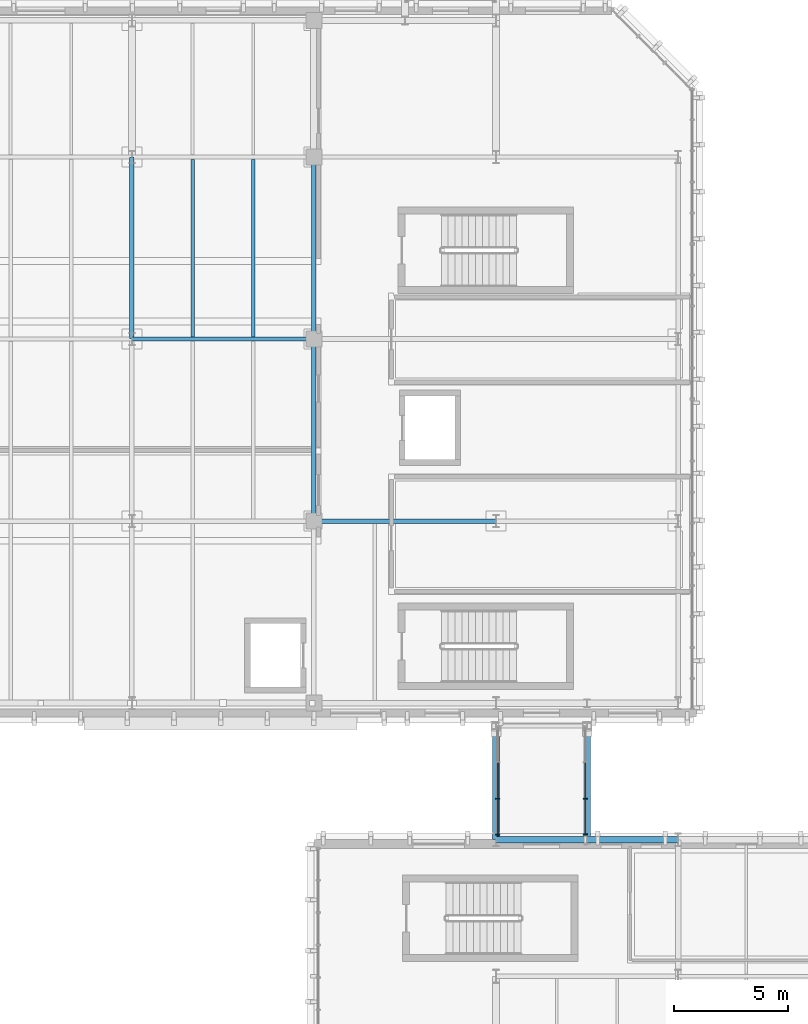
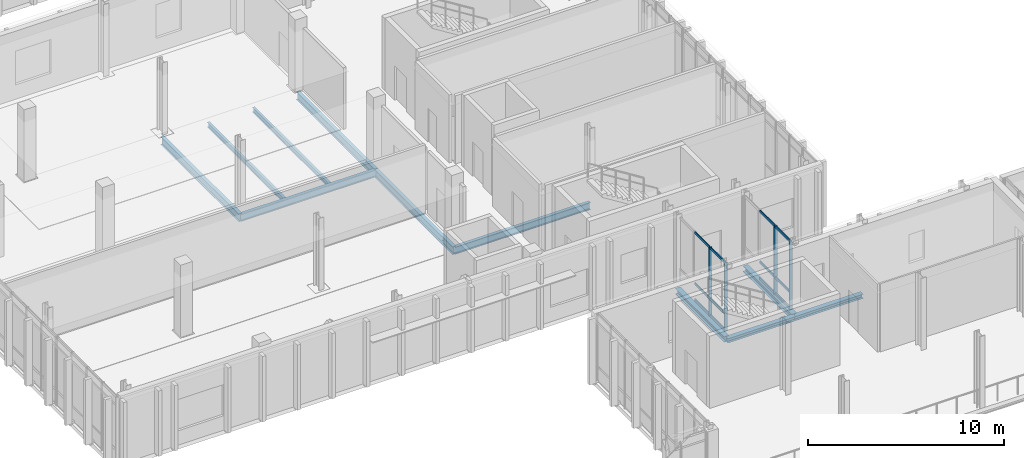
# One storey, part 21 of 100: 16 members, 11 beams, 2 elements without a shape of their own.
"""IFC4 building model written with IfcOpenShell, lengths in metres."""

from ifc_helpers import new_model, si_unit, direction, frame, origin, origin_2d, place, context, subcontext, project, spatial, rectangle, i_section, extrude, material, material_profile, profile_set, type_object, element, aggregate, save


model = new_model("IFC4")

# Units and contexts
model_context = context("Model", 3, precision=1e-05, world=origin(), true_north=direction((0.0, 1.0)))
body_context = subcontext(model_context, "Body", "Model", "MODEL_VIEW")
ifc_project = project(units=[si_unit("LENGTHUNIT", "METRE"), si_unit("AREAUNIT", "SQUARE_METRE"), si_unit("VOLUMEUNIT", "CUBIC_METRE"), si_unit("PLANEANGLEUNIT", "RADIAN"), si_unit("MASSUNIT", "GRAM", prefix="KILO")], contexts=[model_context])

# Site, building, storey
site_placement = place(None, origin())
site = spatial("IfcSite", under=ifc_project, at=site_placement, CompositionType="ELEMENT")
building_placement = place(site_placement, origin())
building = spatial("IfcBuilding", under=site, at=building_placement, Name="Cymarion Research Institute", CompositionType="ELEMENT")
storey_placement = place(building_placement, frame((0.0, 0.0, 4.800048828125)))
storey = spatial("IfcBuildingStorey", under=building, at=storey_placement, Name="L01", CompositionType="ELEMENT", Elevation=4.800048828125)

# Curtain wall, members
ifc_material_1 = material(Name="Anodised aluminium unitised curtain wall with Low-E glazing", Category="aluminium")
curtain_wall_type = type_object("IfcCurtainWallType", Name="UNITISED CURTAIN WALL CW24 4800X4260", PredefinedType="NOTDEFINED", material=ifc_material_1)
curtain_wall_1_placement = place(storey_placement, origin())
curtain_wall_1 = element("IfcCurtainWall", 1, at=curtain_wall_1_placement, inside=storey, type_object=curtain_wall_type, Name="L01 SP1 sky-passage glazed wall 1", PredefinedType="NOTDEFINED")
ifc_material_2 = material(Name="Anodised aluminium framing", Category="aluminium")
ifc_material_profile_1 = material_profile(ifc_material_2, rectangle(XDim=0.06005859375, YDim=0.179931640625, at=origin_2d()), Name="ALU MULLION 60x180")
ifc_profile_set_1 = profile_set([ifc_material_profile_1], Name="Anodised aluminium framing")
member_type_1 = type_object("IfcMemberType", Name="CURTAIN WALL MULLION ML01 60X180", PredefinedType="MULLION", material=ifc_profile_set_1)
member_1_placement = place(storey_placement, frame((38.679931640625, 41.72998046875, 0.0), z_axis=(0.0, 0.0, 1.0), x_axis=(0.0, 1.0, 0.0)))
member_1 = element("IfcMember", 2, at=member_1_placement, type_object=member_type_1, Name="CW24 mullion 1", PredefinedType="MULLION", context=body_context, shape_type="SweptSolid", body=[
    extrude(rectangle(XDim=0.06005859375, YDim=0.179931640625, at=origin_2d()), origin(), (0.0, 0.0, 1.0), 4.260009765625),
])
member_2_placement = place(storey_placement, frame((38.679931640625, 43.300048828125, 0.0), z_axis=(0.0, 0.0, 1.0), x_axis=(0.0, 1.0, 0.0)))
member_2 = element("IfcMember", 3, at=member_2_placement, type_object=member_type_1, Name="CW24 mullion 2", PredefinedType="MULLION", context=body_context, shape_type="SweptSolid", body=[
    extrude(rectangle(XDim=0.06005859375, YDim=0.179931640625, at=origin_2d()), origin(), (0.0, 0.0, 1.0), 4.260009765625),
])

curtain_wall_2_placement = place(storey_placement, origin())
curtain_wall_2 = element("IfcCurtainWall", 4, at=curtain_wall_2_placement, inside=storey, type_object=curtain_wall_type, Name="L01 SP1 sky-passage glazed wall 2", PredefinedType="NOTDEFINED")
member_3_placement = place(storey_placement, frame((42.52001953125, 41.72998046875, 0.0), z_axis=(0.0, 0.0, 1.0), x_axis=(0.0, 1.0, 0.0)))
member_3 = element("IfcMember", 5, at=member_3_placement, type_object=member_type_1, Name="CW24 mullion 1", PredefinedType="MULLION", context=body_context, shape_type="SweptSolid", body=[
    extrude(rectangle(XDim=0.06005859375, YDim=0.179931640625, at=origin_2d()), origin(), (0.0, 0.0, 1.0), 4.260009765625),
])
member_4_placement = place(storey_placement, frame((42.52001953125, 43.300048828125, 0.0), z_axis=(0.0, 0.0, 1.0), x_axis=(0.0, 1.0, 0.0)))
member_4 = element("IfcMember", 6, at=member_4_placement, type_object=member_type_1, Name="CW24 mullion 2", PredefinedType="MULLION", context=body_context, shape_type="SweptSolid", body=[
    extrude(rectangle(XDim=0.06005859375, YDim=0.179931640625, at=origin_2d()), origin(), (0.0, 0.0, 1.0), 4.260009765625),
])

# Member
ifc_material_profile_2 = material_profile(ifc_material_2, rectangle(XDim=0.06005859375, YDim=0.14990234375, at=origin_2d()), Name="ALU TRANSOM 60x150")
ifc_profile_set_2 = profile_set([ifc_material_profile_2], Name="Anodised aluminium framing")
member_type_2 = type_object("IfcMemberType", Name="CURTAIN WALL TRANSOM TR01 60X150", PredefinedType="USERDEFINED", material=ifc_profile_set_2)
member_5_placement = place(storey_placement, frame((38.679931640625, 41.760009765625, 0.030029296875), z_axis=(0.0, 1.0, 0.0), x_axis=(-1.0, 0.0, 0.0)))
member_5 = element("IfcMember", 7, at=member_5_placement, type_object=member_type_2, Name="CW24 transom 1.1", ObjectType="TRANSOM", PredefinedType="USERDEFINED", context=body_context, shape_type="SweptSolid", body=[
    extrude(rectangle(XDim=0.06005859375, YDim=0.14990234375, at=origin_2d()), origin(), (0.0, 0.0, 1.0), 1.510009765625),
])

member_6_placement = place(storey_placement, frame((38.679931640625, 41.760009765625, 1.050048828125), z_axis=(0.0, 1.0, 0.0), x_axis=(-1.0, 0.0, 0.0)))
member_6 = element("IfcMember", 8, at=member_6_placement, type_object=member_type_2, Name="CW24 transom 1.2", ObjectType="TRANSOM", PredefinedType="USERDEFINED", context=body_context, shape_type="SweptSolid", body=[
    extrude(rectangle(XDim=0.06005859375, YDim=0.14990234375, at=origin_2d()), origin(), (0.0, 0.0, 1.0), 1.510009765625),
])

member_7_placement = place(storey_placement, frame((38.679931640625, 41.760009765625, 4.22998046875), z_axis=(0.0, 1.0, 0.0), x_axis=(-1.0, 0.0, 0.0)))
member_7 = element("IfcMember", 9, at=member_7_placement, type_object=member_type_2, Name="CW24 transom 1.3", ObjectType="TRANSOM", PredefinedType="USERDEFINED", context=body_context, shape_type="SweptSolid", body=[
    extrude(rectangle(XDim=0.06005859375, YDim=0.14990234375, at=origin_2d()), origin(), (0.0, 0.0, 1.0), 1.510009765625),
])

member_8_placement = place(storey_placement, frame((38.679931640625, 43.330078125, 0.030029296875), z_axis=(0.0, 1.0, 0.0), x_axis=(-1.0, 0.0, 0.0)))
member_8 = element("IfcMember", 10, at=member_8_placement, type_object=member_type_2, Name="CW24 transom 2.1", ObjectType="TRANSOM", PredefinedType="USERDEFINED", context=body_context, shape_type="SweptSolid", body=[
    extrude(rectangle(XDim=0.06005859375, YDim=0.14990234375, at=origin_2d()), origin(), (0.0, 0.0, 1.0), 1.5400390625),
])

member_9_placement = place(storey_placement, frame((38.679931640625, 43.330078125, 1.050048828125), z_axis=(0.0, 1.0, 0.0), x_axis=(-1.0, 0.0, 0.0)))
member_9 = element("IfcMember", 11, at=member_9_placement, type_object=member_type_2, Name="CW24 transom 2.2", ObjectType="TRANSOM", PredefinedType="USERDEFINED", context=body_context, shape_type="SweptSolid", body=[
    extrude(rectangle(XDim=0.06005859375, YDim=0.14990234375, at=origin_2d()), origin(), (0.0, 0.0, 1.0), 1.5400390625),
])

member_10_placement = place(storey_placement, frame((38.679931640625, 43.330078125, 4.22998046875), z_axis=(0.0, 1.0, 0.0), x_axis=(-1.0, 0.0, 0.0)))
member_10 = element("IfcMember", 12, at=member_10_placement, type_object=member_type_2, Name="CW24 transom 2.3", ObjectType="TRANSOM", PredefinedType="USERDEFINED", context=body_context, shape_type="SweptSolid", body=[
    extrude(rectangle(XDim=0.06005859375, YDim=0.14990234375, at=origin_2d()), origin(), (0.0, 0.0, 1.0), 1.5400390625),
])

aggregate(curtain_wall_1, [member_1, member_2, member_5, member_6, member_7, member_8, member_9, member_10])

member_11_placement = place(storey_placement, frame((42.52001953125, 41.760009765625, 0.030029296875), z_axis=(0.0, 1.0, 0.0), x_axis=(-1.0, 0.0, 0.0)))
member_11 = element("IfcMember", 13, at=member_11_placement, type_object=member_type_2, Name="CW24 transom 1.1", ObjectType="TRANSOM", PredefinedType="USERDEFINED", context=body_context, shape_type="SweptSolid", body=[
    extrude(rectangle(XDim=0.06005859375, YDim=0.14990234375, at=origin_2d()), origin(), (0.0, 0.0, 1.0), 1.510009765625),
])

member_12_placement = place(storey_placement, frame((42.52001953125, 41.760009765625, 1.050048828125), z_axis=(0.0, 1.0, 0.0), x_axis=(-1.0, 0.0, 0.0)))
member_12 = element("IfcMember", 14, at=member_12_placement, type_object=member_type_2, Name="CW24 transom 1.2", ObjectType="TRANSOM", PredefinedType="USERDEFINED", context=body_context, shape_type="SweptSolid", body=[
    extrude(rectangle(XDim=0.06005859375, YDim=0.14990234375, at=origin_2d()), origin(), (0.0, 0.0, 1.0), 1.510009765625),
])

member_13_placement = place(storey_placement, frame((42.52001953125, 41.760009765625, 4.22998046875), z_axis=(0.0, 1.0, 0.0), x_axis=(-1.0, 0.0, 0.0)))
member_13 = element("IfcMember", 15, at=member_13_placement, type_object=member_type_2, Name="CW24 transom 1.3", ObjectType="TRANSOM", PredefinedType="USERDEFINED", context=body_context, shape_type="SweptSolid", body=[
    extrude(rectangle(XDim=0.06005859375, YDim=0.14990234375, at=origin_2d()), origin(), (0.0, 0.0, 1.0), 1.510009765625),
])

member_14_placement = place(storey_placement, frame((42.52001953125, 43.330078125, 0.030029296875), z_axis=(0.0, 1.0, 0.0), x_axis=(-1.0, 0.0, 0.0)))
member_14 = element("IfcMember", 16, at=member_14_placement, type_object=member_type_2, Name="CW24 transom 2.1", ObjectType="TRANSOM", PredefinedType="USERDEFINED", context=body_context, shape_type="SweptSolid", body=[
    extrude(rectangle(XDim=0.06005859375, YDim=0.14990234375, at=origin_2d()), origin(), (0.0, 0.0, 1.0), 1.5400390625),
])

member_15_placement = place(storey_placement, frame((42.52001953125, 43.330078125, 1.050048828125), z_axis=(0.0, 1.0, 0.0), x_axis=(-1.0, 0.0, 0.0)))
member_15 = element("IfcMember", 17, at=member_15_placement, type_object=member_type_2, Name="CW24 transom 2.2", ObjectType="TRANSOM", PredefinedType="USERDEFINED", context=body_context, shape_type="SweptSolid", body=[
    extrude(rectangle(XDim=0.06005859375, YDim=0.14990234375, at=origin_2d()), origin(), (0.0, 0.0, 1.0), 1.5400390625),
])

member_16_placement = place(storey_placement, frame((42.52001953125, 43.330078125, 4.22998046875), z_axis=(0.0, 1.0, 0.0), x_axis=(-1.0, 0.0, 0.0)))
member_16 = element("IfcMember", 18, at=member_16_placement, type_object=member_type_2, Name="CW24 transom 2.3", ObjectType="TRANSOM", PredefinedType="USERDEFINED", context=body_context, shape_type="SweptSolid", body=[
    extrude(rectangle(XDim=0.06005859375, YDim=0.14990234375, at=origin_2d()), origin(), (0.0, 0.0, 1.0), 1.5400390625),
])

aggregate(curtain_wall_2, [member_3, member_4, member_11, member_12, member_13, member_14, member_15, member_16])

# Beams
ifc_material_3 = material(Name="Steel S355", Category="steel")
ifc_material_profile_3 = material_profile(ifc_material_3, i_section(OverallWidth=0.199951171875, OverallDepth=0.5, WebThickness=0.01025390625, FlangeThickness=0.01611328125, FilletRadius=0.02099609375, at=origin_2d()), Name="IPE 500")
ifc_profile_set_3 = profile_set([ifc_material_profile_3], Name="Steel S355")
beam_type_1 = type_object("IfcBeamType", Name="PRIMARY GIRDER BM03 IPE 500", PredefinedType="BEAM", material=ifc_profile_set_3)
for number, where, z_axis, x_axis, name in (
    (19, (22.60009765625, 63.506103515625, -0.5), (0.0, 1.0, 0.0), (-1.0, 0.0, 0.0), "L01 V4 girder BM03 #657"),
    (20, (30.60009765625, 55.506103515625, -0.5), (0.0, 1.0, 0.0), (-1.0, 0.0, 0.0), "L01 V4 girder BM03 #660"),
    (21, (30.60009765625, 63.506103515625, -0.5), (0.0, 1.0, 0.0), (-1.0, 0.0, 0.0), "L01 V4 girder BM03 #661"),
):
    element("IfcBeam", number, at=place(storey_placement, frame(where, z_axis=z_axis, x_axis=x_axis)), inside=storey, type_object=beam_type_1, Name=name, PredefinedType="BEAM", context=body_context, shape_type="SweptSolid", body=[
        extrude(i_section(OverallWidth=0.199951171875, OverallDepth=0.5, WebThickness=0.01025390625, FlangeThickness=0.01611328125, FilletRadius=0.02099609375, at=origin_2d()), origin(), (0.0, 0.0, 1.0), 7.98779296875),
    ])
ifc_material_profile_4 = material_profile(ifc_material_3, i_section(OverallWidth=0.18994140625, OverallDepth=0.449951171875, WebThickness=0.009521484375, FlangeThickness=0.0146484375, FilletRadius=0.02099609375, at=origin_2d()), Name="IPE 450")
ifc_profile_set_4 = profile_set([ifc_material_profile_4], Name="Steel S355")
beam_type_2 = type_object("IfcBeamType", Name="PRIMARY GIRDER BM04 IPE 450", PredefinedType="BEAM", material=ifc_profile_set_4)
for number, where, z_axis, x_axis, name in (
    (22, (30.60595703125, 55.5, -0.47509765625), (1.0, 0.0, 0.0), (0.0, 1.0, 0.0), "L01 V4 girder BM04 #630"),
    (23, (22.60595703125, 63.5, -0.47509765625), (1.0, 0.0, 0.0), (0.0, 1.0, 0.0), "L01 V4 girder BM04 #634"),
):
    element("IfcBeam", number, at=place(storey_placement, frame(where, z_axis=z_axis, x_axis=x_axis)), inside=storey, type_object=beam_type_2, Name=name, PredefinedType="BEAM", context=body_context, shape_type="SweptSolid", body=[
        extrude(i_section(OverallWidth=0.18994140625, OverallDepth=0.449951171875, WebThickness=0.009521484375, FlangeThickness=0.0146484375, FilletRadius=0.02099609375, at=origin_2d()), origin(), (0.0, 0.0, 1.0), 7.988037109375),
    ])
ifc_material_profile_5 = material_profile(ifc_material_3, i_section(OverallWidth=0.300048828125, OverallDepth=0.35009765625, WebThickness=0.010009765625, FlangeThickness=0.017578125, FilletRadius=0.027099609375, at=origin_2d()), Name="HEA 360")
ifc_profile_set_5 = profile_set([ifc_material_profile_5], Name="Steel S355")
beam_type_3 = type_object("IfcBeamType", Name="PRIMARY GIRDER BM12 HEA 360", PredefinedType="BEAM", material=ifc_profile_set_5)
for number, where, z_axis, x_axis, name in (
    (24, (38.60009765625, 41.506103515625, -0.3349609375), (0.0, 1.0, 0.0), (-1.0, 0.0, 0.0), "L01 V3 girder BM12 #580"),
    (25, (42.60009765625, 41.506103515625, -0.3349609375), (0.0, 1.0, 0.0), (-1.0, 0.0, 0.0), "L01 V3 girder BM12 #581"),
):
    element("IfcBeam", number, at=place(storey_placement, frame(where, z_axis=z_axis, x_axis=x_axis)), inside=storey, type_object=beam_type_3, Name=name, PredefinedType="BEAM", context=body_context, shape_type="SweptSolid", body=[
        extrude(i_section(OverallWidth=0.300048828125, OverallDepth=0.35009765625, WebThickness=0.010009765625, FlangeThickness=0.017578125, FilletRadius=0.027099609375, at=origin_2d()), origin(), (0.0, 0.0, 1.0), 4.98779296875),
    ])
ifc_material_profile_6 = material_profile(ifc_material_3, i_section(OverallWidth=0.14990234375, OverallDepth=0.300048828125, WebThickness=0.007080078125, FlangeThickness=0.0107421875, FilletRadius=0.014892578125, at=origin_2d()), Name="IPE 300")
ifc_profile_set_6 = profile_set([ifc_material_profile_6], Name="Steel S355")
beam_type_4 = type_object("IfcBeamType", Name="SECONDARY JOIST JS02 IPE 300", PredefinedType="JOIST", material=ifc_profile_set_6)
for number, where, z_axis, x_axis, name in (
    (26, (25.2666015625, 63.59912109375, -0.400146484375), (0.0, 1.0, 0.0), (-1.0, 0.0, 0.0), "L01 V4 secondary joist JS02 #684"),
    (27, (27.933349609375, 63.59912109375, -0.400146484375), (0.0, 1.0, 0.0), (-1.0, 0.0, 0.0), "L01 V4 secondary joist JS02 #685"),
):
    element("IfcBeam", number, at=place(storey_placement, frame(where, z_axis=z_axis, x_axis=x_axis)), inside=storey, type_object=beam_type_4, Name=name, PredefinedType="JOIST", context=body_context, shape_type="SweptSolid", body=[
        extrude(i_section(OverallWidth=0.14990234375, OverallDepth=0.300048828125, WebThickness=0.007080078125, FlangeThickness=0.0107421875, FilletRadius=0.014892578125, at=origin_2d()), origin(), (0.0, 0.0, 1.0), 7.8017578125),
    ])
ifc_material_profile_7 = material_profile(ifc_material_3, i_section(OverallWidth=0.280029296875, OverallDepth=0.27001953125, WebThickness=0.008056640625, FlangeThickness=0.012939453125, FilletRadius=0.02392578125, at=origin_2d()), Name="HEA 280")
ifc_profile_set_7 = profile_set([ifc_material_profile_7], Name="Steel S355")
beam_type_5 = type_object("IfcBeamType", Name="SPANDREL BEAM SPB02 HEA 280", PredefinedType="SPANDREL", material=ifc_profile_set_7)
for number, where, z_axis, x_axis, name in (
    (28, (38.60595703125, 41.5, -0.385009765625), (1.0, 0.0, 0.0), (0.0, 1.0, 0.0), "L01 V3 girder SPB02 #559"),
    (29, (42.60595703125, 41.5, -0.385009765625), (1.0, 0.0, 0.0), (0.0, 1.0, 0.0), "L01 V3 girder SPB02 #560"),
):
    element("IfcBeam", number, at=place(storey_placement, frame(where, z_axis=z_axis, x_axis=x_axis)), inside=storey, type_object=beam_type_5, Name=name, PredefinedType="SPANDREL", context=body_context, shape_type="SweptSolid", body=[
        extrude(i_section(OverallWidth=0.280029296875, OverallDepth=0.27001953125, WebThickness=0.008056640625, FlangeThickness=0.012939453125, FilletRadius=0.02392578125, at=origin_2d()), origin(), (0.0, 0.0, 1.0), 3.988037109375),
    ])

save(model, "model.ifc")
